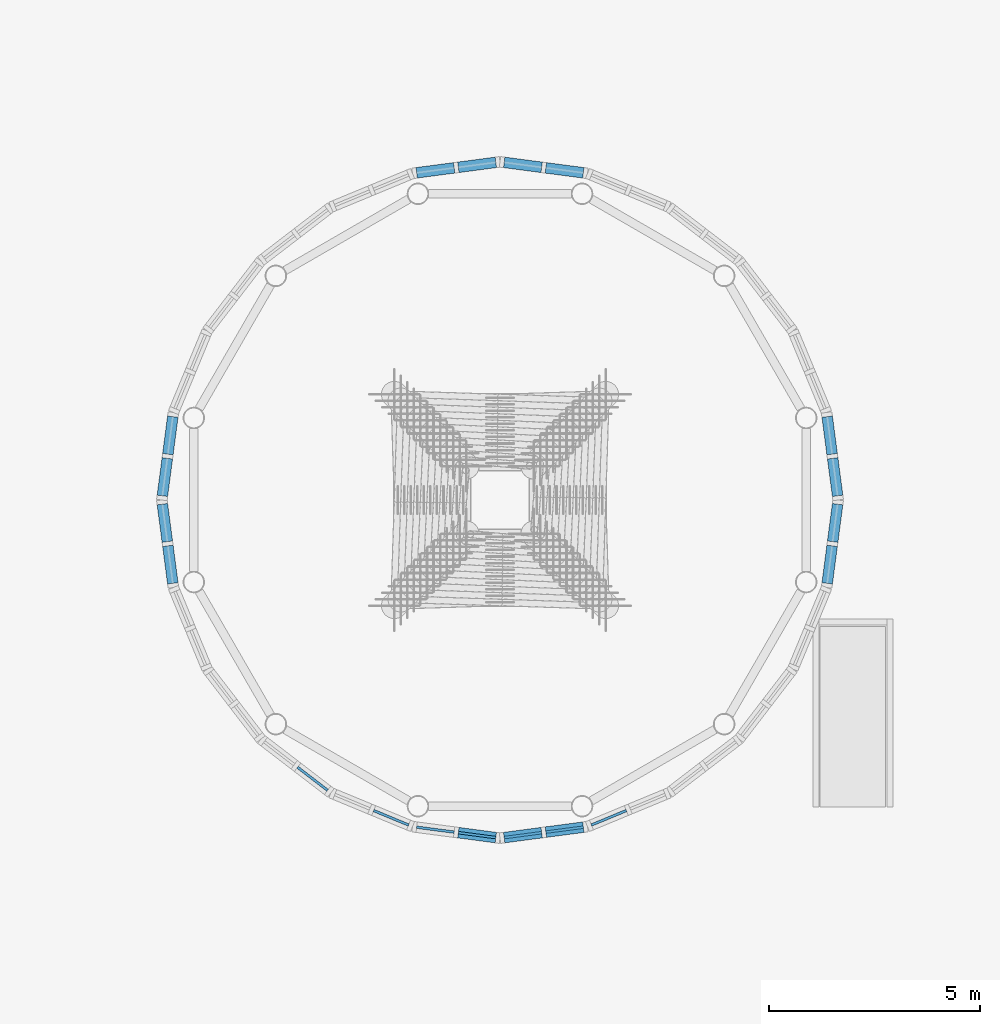
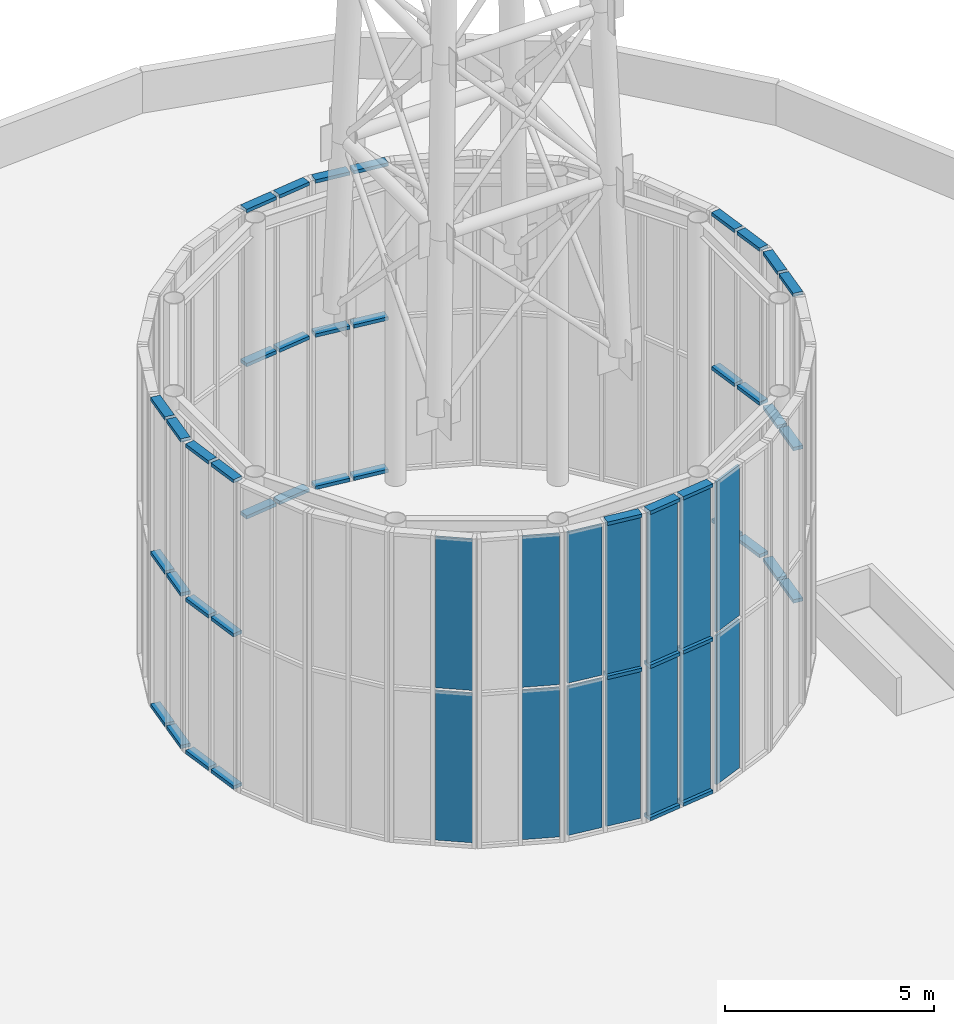
# One storey, part 8 of 11: 44 members, 14 plates, 11 elements without a shape of their own.
"""IFC4 building model written with IfcOpenShell, lengths in metres."""

import ifcopenshell
import ifcopenshell.guid

model = None  # the IFC model being written
_history = None  # IfcOwnerHistory: only IFC2X3 demands one
_inside = {}  # id of a spatial element -> (the spatial element, [elements in it])
_under = {}  # id of a project, library or spatial element -> (it, [spatial elements below it])
_declared = {}  # id of a project -> (the project, [libraries it declares])
_typed = {}  # id of a type object -> (the type object, [elements of that type])
_made_of = {}  # id of a material, layer set ... -> (it, [elements and type objects made of it])


def new_model(schema):
    """Start an empty IFC model of exactly this schema.

    Asked for "IFC4X3", IfcOpenShell would pick the latest addendum, in which some entities
    have other attributes; the version numbers below select the first issue.
    IFC2X3 requires an IfcOwnerHistory on every rooted entity: one is made here for all.
    """
    global model, _history
    if schema == "IFC4X3":
        model = ifcopenshell.file(schema_version=(4, 3, 0, 0))
    else:
        model = ifcopenshell.file(schema=schema)
    _inside.clear()
    _under.clear()
    _declared.clear()
    _typed.clear()
    _made_of.clear()
    _history = None
    if model.schema == "IFC2X3":
        org = make("IfcOrganization", Name="unknown")
        user = make(
            "IfcPersonAndOrganization",
            ThePerson=make("IfcPerson", FamilyName="unknown"),
            TheOrganization=org,
        )
        app = make(
            "IfcApplication",
            ApplicationDeveloper=org,
            Version="unknown",
            ApplicationFullName="unknown",
            ApplicationIdentifier="unknown",
        )
        _history = make(
            "IfcOwnerHistory",
            OwningUser=user,
            OwningApplication=app,
            ChangeAction="ADDED",
            CreationDate=0,
        )
    return model


def make(cls, **values):
    """One entity of the class cls with the attributes given. An attribute that is None is left unset."""
    return model.create_entity(
        cls, **{name: value for name, value in values.items() if value is not None}
    )


def rooted(cls, **values):
    """An entity with a GlobalId (a new one), such as an element, a storey or a relation."""
    return make(cls, GlobalId=ifcopenshell.guid.new(), OwnerHistory=_history, **values)


def si_unit(unit_type, name, prefix=None):
    """IfcSIUnit, for example si_unit("LENGTHUNIT", "METRE", prefix="MILLI")."""
    return make("IfcSIUnit", UnitType=unit_type, Prefix=prefix, Name=name)


def assignment(units):
    """IfcUnitAssignment: the units of a project."""
    return None if units is None else make("IfcUnitAssignment", Units=units)


def point(xyz):
    """IfcCartesianPoint."""
    return None if xyz is None else make("IfcCartesianPoint", Coordinates=xyz)


def direction(xyz):
    """IfcDirection."""
    return None if xyz is None else make("IfcDirection", DirectionRatios=xyz)


def frame(location, z_axis=None, x_axis=None):
    """IfcAxis2Placement3D, a coordinate frame: its origin and axes. An axis left out is left unset."""
    return make(
        "IfcAxis2Placement3D",
        Location=point(location),
        Axis=direction(z_axis),
        RefDirection=direction(x_axis),
    )


def frame_2d(location, x_axis=None):
    """IfcAxis2Placement2D, a coordinate frame in the plane: its origin and x axis."""
    return make(
        "IfcAxis2Placement2D", Location=point(location), RefDirection=direction(x_axis)
    )


def origin():
    """The frame at (0, 0, 0) with its axes left unset."""
    return frame((0.0, 0.0, 0.0))


def origin_2d():
    """The frame at (0, 0) in the plane with its x axis left unset."""
    return frame_2d((0.0, 0.0))


def place(relative_to, where):
    """IfcLocalPlacement: puts the frame where relative to a parent placement (None: the world)."""
    return make(
        "IfcLocalPlacement", PlacementRelTo=relative_to, RelativePlacement=where
    )


def context(
    kind, dimensions, precision=None, world=None, true_north=None, identifier=None
):
    """IfcGeometricRepresentationContext, for example the 3D "Model" context."""
    return make(
        "IfcGeometricRepresentationContext",
        ContextIdentifier=identifier,
        ContextType=kind,
        CoordinateSpaceDimension=dimensions,
        Precision=precision,
        WorldCoordinateSystem=world,
        TrueNorth=true_north,
    )


def subcontext(parent, identifier, kind, view, scale=None):
    """IfcGeometricRepresentationSubContext, for example "Body" below "Model"."""
    return make(
        "IfcGeometricRepresentationSubContext",
        ContextIdentifier=identifier,
        ContextType=kind,
        ParentContext=parent,
        TargetScale=scale,
        TargetView=view,
    )


def project(units=None, contexts=None):
    """IfcProject with its units and contexts."""
    return rooted(
        "IfcProject",
        Name="project",
        RepresentationContexts=contexts,
        UnitsInContext=assignment(units),
    )


def spatial(cls, under=None, at=None, **own):
    """A site, building, storey or space (cls), placed at a placement, below another one or the project."""
    s = rooted(cls, ObjectPlacement=at, **own)
    if under is not None:
        _under.setdefault(under.id(), (under, []))[1].append(s)
    return s


def profile(cls, at=None, kind="AREA", **sizes):
    """A parametric profile (cls). Its sizes go by their IFC names, for example OverallWidth=200.0."""
    return make(cls, ProfileType=kind, Position=at, **sizes)


def rectangle(**sizes):
    """IfcRectangleProfileDef."""
    return profile("IfcRectangleProfileDef", **sizes)


def extrude(swept, where, along, depth):
    """IfcExtrudedAreaSolid: the profile swept, set in the frame where, extruded along a direction by depth."""
    return make(
        "IfcExtrudedAreaSolid",
        SweptArea=swept,
        Position=where,
        ExtrudedDirection=direction(along),
        Depth=depth,
    )


def shape(context_of_items, identifier, shape_type, items):
    """IfcShapeRepresentation: the items that make up one representation, for example the "Body"."""
    return make(
        "IfcShapeRepresentation",
        ContextOfItems=context_of_items,
        RepresentationIdentifier=identifier,
        RepresentationType=shape_type,
        Items=items,
    )


def material(Name=None, Category=None):
    """IfcMaterial."""
    return make("IfcMaterial", Name=Name, Category=Category)


def layer(
    of_material, thickness, ventilated=None, Name=None, Category=None, Priority=None
):
    """IfcMaterialLayer: one layer of a wall or slab, of a material (None: an air gap)."""
    return make(
        "IfcMaterialLayer",
        Material=of_material,
        LayerThickness=thickness,
        IsVentilated=ventilated,
        Name=Name,
        Category=Category,
        Priority=Priority,
    )


def layer_set(layers, Name=None):
    """IfcMaterialLayerSet."""
    return make("IfcMaterialLayerSet", MaterialLayers=layers, LayerSetName=Name)


def material_profile(
    of_material, cross_section, Name=None, Category=None, Priority=None
):
    """IfcMaterialProfile: a cross section and its material."""
    return make(
        "IfcMaterialProfile",
        Name=Name,
        Material=of_material,
        Profile=cross_section,
        Priority=Priority,
        Category=Category,
    )


def profile_set(profiles, Name=None, composite=None):
    """IfcMaterialProfileSet."""
    return make(
        "IfcMaterialProfileSet",
        Name=Name,
        MaterialProfiles=profiles,
        CompositeProfile=composite,
    )


def made_of(thing, what):
    """Note that an element or type object is made of a material, layer set ...; save() writes the relation."""
    if what is not None:
        _made_of.setdefault(what.id(), (what, []))[1].append(thing)
    return thing


def type_object(cls, material=None, **own):
    """A type object (cls), such as IfcWallType, which elements share."""
    return made_of(rooted(cls, **own), material)


def element(
    cls,
    number,
    at=None,
    inside=None,
    cuts=None,
    type_object=None,
    material=None,
    context=None,
    identifier="Body",
    shape_type=None,
    held_by="IfcProductDefinitionShape",
    body=None,
    shapes=None,
    **own,
):
    """One element of the class cls, such as IfcWall. Its Tag is "e" and its number.

    at: its placement. inside: the storey or other place that contains it. cuts: it is an
    opening in that element (IfcRelVoidsElement). A single representation is given by context,
    identifier, shape_type and body (its items); several are given by shapes. held_by: the class
    of the entity that holds the representations. save() writes the other relations.
    """
    e = rooted(cls, Tag="e%d" % number, ObjectPlacement=at, **own)
    if body is not None:
        shapes = [shape(context, identifier, shape_type, body)]
    if shapes is not None:
        e.Representation = make(held_by, Representations=shapes)
    if inside is not None:
        _inside.setdefault(inside.id(), (inside, []))[1].append(e)
    if cuts is not None:
        rooted(
            "IfcRelVoidsElement", RelatingBuildingElement=cuts, RelatedOpeningElement=e
        )
    if type_object is not None:
        _typed.setdefault(type_object.id(), (type_object, []))[1].append(e)
    return made_of(e, material)


def aggregate(whole, parts):
    """IfcRelAggregates: a whole, such as a stair, and the parts it consists of."""
    return rooted("IfcRelAggregates", RelatingObject=whole, RelatedObjects=parts)


def save(model, path):
    """Write the relations noted so far, then the file.

    IfcRelAggregates (storeys below a building ...), IfcRelContainedInSpatialStructure (elements
    in a storey), IfcRelDefinesByType, IfcRelAssociatesMaterial and IfcRelDeclares: one each for
    every whole, place, type object, material and project.
    """
    for whole, parts in _under.values():
        aggregate(whole, parts)
    for where, things in _inside.values():
        rooted(
            "IfcRelContainedInSpatialStructure",
            RelatedElements=things,
            RelatingStructure=where,
        )
    for kind, things in _typed.values():
        rooted("IfcRelDefinesByType", RelatedObjects=things, RelatingType=kind)
    for what, things in _made_of.values():
        rooted("IfcRelAssociatesMaterial", RelatedObjects=things, RelatingMaterial=what)
    for by, libraries in _declared.values():
        rooted("IfcRelDeclares", RelatingContext=by, RelatedDefinitions=libraries)
    model.write(path)


model = new_model("IFC4")

# Units and contexts
model_context = context("Model", 3, precision=1e-05, world=origin(), true_north=direction((0.0, 1.0)))
body_context = subcontext(model_context, "Body", "Model", "MODEL_VIEW")
ifc_project = project(units=[si_unit("LENGTHUNIT", "METRE"), si_unit("AREAUNIT", "SQUARE_METRE"), si_unit("VOLUMEUNIT", "CUBIC_METRE"), si_unit("PLANEANGLEUNIT", "RADIAN"), si_unit("MASSUNIT", "GRAM", prefix="KILO")], contexts=[model_context])

# Site, building, storey
site_placement = place(None, origin())
site = spatial("IfcSite", under=ifc_project, at=site_placement, CompositionType="ELEMENT")
building_placement = place(site_placement, origin())
building = spatial("IfcBuilding", under=site, at=building_placement, Name="Vermilion Reach Broadcast Tower", CompositionType="ELEMENT")
storey_placement = place(building_placement, frame((0.0, 0.0, 329.699951171875)))
storey = spatial("IfcBuildingStorey", under=building, at=storey_placement, Name="RF", CompositionType="ELEMENT", Elevation=329.699951171875)

# Curtain wall, members
ifc_material_1 = material(Name="Low-e laminated clear glass in aluminium frame", Category="aluminium")
curtain_wall_type = type_object("IfcCurtainWallType", Name="Drum louvre curtain wall", PredefinedType="NOTDEFINED", material=ifc_material_1)
placement = place(storey_placement, origin())
curtain_wall_1 = element("IfcCurtainWall", 1, at=placement, inside=storey, type_object=curtain_wall_type, Name="Drum louvre wall RF 01", PredefinedType="NOTDEFINED")
ifc_material_2 = material(Name="Anodised aluminium", Category="aluminium")
ifc_material_profile = material_profile(ifc_material_2, rectangle(XDim=0.25, YDim=0.10009765625, at=origin_2d()), Name="Drum louvre transom 250 x 100")
ifc_profile_set = profile_set([ifc_material_profile], Name="Anodised aluminium")
member_type = type_object("IfcMemberType", Name="Drum louvre transom 250 x 100", PredefinedType="USERDEFINED", material=ifc_profile_set)
member_1_placement = place(storey_placement, frame((1.987060546875, 0.09912109375, 0.050048828125), z_axis=(-0.130786466172, 0.991410560901, 0.0), x_axis=(-0.991410560901, -0.130786466172, 0.0)))
member_1 = element("IfcMember", 2, at=member_1_placement, type_object=member_type, Name="Drum louvre wall transom RF 01.1.1", ObjectType="TRANSOM", PredefinedType="USERDEFINED", context=body_context, shape_type="SweptSolid", body=[
    extrude(rectangle(XDim=0.25, YDim=0.10009765625, at=origin_2d()), origin(), (0.0, 0.0, 1.0), 0.89404296875),
])
member_2_placement = place(storey_placement, frame((1.987060546875, 0.09912109375, 4.5), z_axis=(-0.130786466172, 0.991410560901, 0.0), x_axis=(-0.991410560901, -0.130786466172, 0.0)))
member_2 = element("IfcMember", 3, at=member_2_placement, type_object=member_type, Name="Drum louvre wall transom RF 01.1.2", ObjectType="TRANSOM", PredefinedType="USERDEFINED", context=body_context, shape_type="SweptSolid", body=[
    extrude(rectangle(XDim=0.25, YDim=0.10009765625, at=origin_2d()), origin(), (0.0, 0.0, 1.0), 0.89404296875),
])
member_3_placement = place(storey_placement, frame((1.987060546875, 0.09912109375, 9.0), z_axis=(-0.130786466172, 0.991410560901, 0.0), x_axis=(-0.991410560901, -0.130786466172, 0.0)))
member_3 = element("IfcMember", 4, at=member_3_placement, type_object=member_type, Name="Drum louvre wall transom RF 01.1.3", ObjectType="TRANSOM", PredefinedType="USERDEFINED", context=body_context, shape_type="SweptSolid", body=[
    extrude(rectangle(XDim=0.25, YDim=0.10009765625, at=origin_2d()), origin(), (0.0, 0.0, 1.0), 0.89404296875),
])
member_4_placement = place(storey_placement, frame((1.857177734375, 1.0849609375, 0.050048828125), z_axis=(-0.130518081554, 0.991445929129, 0.0), x_axis=(-0.991445929129, -0.130518081554, 0.0)))
member_4 = element("IfcMember", 5, at=member_4_placement, type_object=member_type, Name="Drum louvre wall transom RF 01.2.1", ObjectType="TRANSOM", PredefinedType="USERDEFINED", context=body_context, shape_type="SweptSolid", body=[
    extrude(rectangle(XDim=0.25, YDim=0.10009765625, at=origin_2d()), origin(), (0.0, 0.0, 1.0), 0.89404296875),
])
member_5_placement = place(storey_placement, frame((1.857177734375, 1.0849609375, 4.5), z_axis=(-0.130518081554, 0.991445929129, 0.0), x_axis=(-0.991445929129, -0.130518081554, 0.0)))
member_5 = element("IfcMember", 6, at=member_5_placement, type_object=member_type, Name="Drum louvre wall transom RF 01.2.2", ObjectType="TRANSOM", PredefinedType="USERDEFINED", context=body_context, shape_type="SweptSolid", body=[
    extrude(rectangle(XDim=0.25, YDim=0.10009765625, at=origin_2d()), origin(), (0.0, 0.0, 1.0), 0.89404296875),
])
member_6_placement = place(storey_placement, frame((1.857177734375, 1.0849609375, 9.0), z_axis=(-0.130518081554, 0.991445929129, 0.0), x_axis=(-0.991445929129, -0.130518081554, 0.0)))
member_6 = element("IfcMember", 7, at=member_6_placement, type_object=member_type, Name="Drum louvre wall transom RF 01.2.3", ObjectType="TRANSOM", PredefinedType="USERDEFINED", context=body_context, shape_type="SweptSolid", body=[
    extrude(rectangle(XDim=0.25, YDim=0.10009765625, at=origin_2d()), origin(), (0.0, 0.0, 1.0), 0.89404296875),
])
aggregate(curtain_wall_1, [member_1, member_2, member_3, member_4, member_5, member_6])

curtain_wall_2 = element("IfcCurtainWall", 8, at=placement, inside=storey, type_object=curtain_wall_type, Name="Drum louvre wall RF 06", PredefinedType="NOTDEFINED")
member_7_placement = place(storey_placement, frame((-4.028564453125, 7.740478515625, 0.050048828125), z_axis=(-0.991445929129, 0.130518081554, 0.0), x_axis=(-0.130518081554, -0.991445929129, 0.0)))
member_7 = element("IfcMember", 9, at=member_7_placement, type_object=member_type, Name="Drum louvre wall transom RF 06.1.1", ObjectType="TRANSOM", PredefinedType="USERDEFINED", context=body_context, shape_type="SweptSolid", body=[
    extrude(rectangle(XDim=0.25, YDim=0.10009765625, at=origin_2d()), origin(), (0.0, 0.0, 1.0), 0.89404296875),
])
member_8_placement = place(storey_placement, frame((-4.028564453125, 7.740478515625, 4.5), z_axis=(-0.991445929129, 0.130518081554, 0.0), x_axis=(-0.130518081554, -0.991445929129, 0.0)))
member_8 = element("IfcMember", 10, at=member_8_placement, type_object=member_type, Name="Drum louvre wall transom RF 06.1.2", ObjectType="TRANSOM", PredefinedType="USERDEFINED", context=body_context, shape_type="SweptSolid", body=[
    extrude(rectangle(XDim=0.25, YDim=0.10009765625, at=origin_2d()), origin(), (0.0, 0.0, 1.0), 0.89404296875),
])
member_9_placement = place(storey_placement, frame((-4.028564453125, 7.740478515625, 9.0), z_axis=(-0.991445929129, 0.130518081554, 0.0), x_axis=(-0.130518081554, -0.991445929129, 0.0)))
member_9 = element("IfcMember", 11, at=member_9_placement, type_object=member_type, Name="Drum louvre wall transom RF 06.1.3", ObjectType="TRANSOM", PredefinedType="USERDEFINED", context=body_context, shape_type="SweptSolid", body=[
    extrude(rectangle(XDim=0.25, YDim=0.10009765625, at=origin_2d()), origin(), (0.0, 0.0, 1.0), 0.89404296875),
])
member_10_placement = place(storey_placement, frame((-5.014404296875, 7.8701171875, 0.050048828125), z_axis=(-0.991410560901, 0.130786466172, 0.0), x_axis=(-0.130786466172, -0.991410560901, 0.0)))
member_10 = element("IfcMember", 12, at=member_10_placement, type_object=member_type, Name="Drum louvre wall transom RF 06.2.1", ObjectType="TRANSOM", PredefinedType="USERDEFINED", context=body_context, shape_type="SweptSolid", body=[
    extrude(rectangle(XDim=0.25, YDim=0.10009765625, at=origin_2d()), origin(), (0.0, 0.0, 1.0), 0.89404296875),
])
member_11_placement = place(storey_placement, frame((-5.014404296875, 7.8701171875, 4.5), z_axis=(-0.991410560901, 0.130786466172, 0.0), x_axis=(-0.130786466172, -0.991410560901, 0.0)))
member_11 = element("IfcMember", 13, at=member_11_placement, type_object=member_type, Name="Drum louvre wall transom RF 06.2.2", ObjectType="TRANSOM", PredefinedType="USERDEFINED", context=body_context, shape_type="SweptSolid", body=[
    extrude(rectangle(XDim=0.25, YDim=0.10009765625, at=origin_2d()), origin(), (0.0, 0.0, 1.0), 0.89404296875),
])
member_12_placement = place(storey_placement, frame((-5.014404296875, 7.8701171875, 9.0), z_axis=(-0.991410560901, 0.130786466172, 0.0), x_axis=(-0.130786466172, -0.991410560901, 0.0)))
member_12 = element("IfcMember", 14, at=member_12_placement, type_object=member_type, Name="Drum louvre wall transom RF 06.2.3", ObjectType="TRANSOM", PredefinedType="USERDEFINED", context=body_context, shape_type="SweptSolid", body=[
    extrude(rectangle(XDim=0.25, YDim=0.10009765625, at=origin_2d()), origin(), (0.0, 0.0, 1.0), 0.89404296875),
])
aggregate(curtain_wall_2, [member_7, member_8, member_9, member_10, member_11, member_12])

curtain_wall_3 = element("IfcCurtainWall", 15, at=placement, inside=storey, type_object=curtain_wall_type, Name="Drum louvre wall RF 07", PredefinedType="NOTDEFINED")
member_13_placement = place(storey_placement, frame((-6.09912109375, 7.987060546875, 0.050048828125), z_axis=(-0.991410560901, -0.130786466172, 0.0), x_axis=(0.130786466172, -0.991410560901, 0.0)))
member_13 = element("IfcMember", 16, at=member_13_placement, type_object=member_type, Name="Drum louvre wall transom RF 07.1.1", ObjectType="TRANSOM", PredefinedType="USERDEFINED", context=body_context, shape_type="SweptSolid", body=[
    extrude(rectangle(XDim=0.25, YDim=0.10009765625, at=origin_2d()), origin(), (0.0, 0.0, 1.0), 0.89404296875),
])
member_14_placement = place(storey_placement, frame((-6.09912109375, 7.987060546875, 4.5), z_axis=(-0.991410560901, -0.130786466172, 0.0), x_axis=(0.130786466172, -0.991410560901, 0.0)))
member_14 = element("IfcMember", 17, at=member_14_placement, type_object=member_type, Name="Drum louvre wall transom RF 07.1.2", ObjectType="TRANSOM", PredefinedType="USERDEFINED", context=body_context, shape_type="SweptSolid", body=[
    extrude(rectangle(XDim=0.25, YDim=0.10009765625, at=origin_2d()), origin(), (0.0, 0.0, 1.0), 0.89404296875),
])
member_15_placement = place(storey_placement, frame((-6.09912109375, 7.987060546875, 9.0), z_axis=(-0.991410560901, -0.130786466172, 0.0), x_axis=(0.130786466172, -0.991410560901, 0.0)))
member_15 = element("IfcMember", 18, at=member_15_placement, type_object=member_type, Name="Drum louvre wall transom RF 07.1.3", ObjectType="TRANSOM", PredefinedType="USERDEFINED", context=body_context, shape_type="SweptSolid", body=[
    extrude(rectangle(XDim=0.25, YDim=0.10009765625, at=origin_2d()), origin(), (0.0, 0.0, 1.0), 0.89404296875),
])
member_16_placement = place(storey_placement, frame((-7.0849609375, 7.857177734375, 0.050048828125), z_axis=(-0.991445929129, -0.130518081554, 0.0), x_axis=(0.130518081554, -0.991445929129, 0.0)))
member_16 = element("IfcMember", 19, at=member_16_placement, type_object=member_type, Name="Drum louvre wall transom RF 07.2.1", ObjectType="TRANSOM", PredefinedType="USERDEFINED", context=body_context, shape_type="SweptSolid", body=[
    extrude(rectangle(XDim=0.25, YDim=0.10009765625, at=origin_2d()), origin(), (0.0, 0.0, 1.0), 0.89404296875),
])
member_17_placement = place(storey_placement, frame((-7.0849609375, 7.857177734375, 4.5), z_axis=(-0.991445929129, -0.130518081554, 0.0), x_axis=(0.130518081554, -0.991445929129, 0.0)))
member_17 = element("IfcMember", 20, at=member_17_placement, type_object=member_type, Name="Drum louvre wall transom RF 07.2.2", ObjectType="TRANSOM", PredefinedType="USERDEFINED", context=body_context, shape_type="SweptSolid", body=[
    extrude(rectangle(XDim=0.25, YDim=0.10009765625, at=origin_2d()), origin(), (0.0, 0.0, 1.0), 0.89404296875),
])
member_18_placement = place(storey_placement, frame((-7.0849609375, 7.857177734375, 9.0), z_axis=(-0.991445929129, -0.130518081554, 0.0), x_axis=(0.130518081554, -0.991445929129, 0.0)))
member_18 = element("IfcMember", 21, at=member_18_placement, type_object=member_type, Name="Drum louvre wall transom RF 07.2.3", ObjectType="TRANSOM", PredefinedType="USERDEFINED", context=body_context, shape_type="SweptSolid", body=[
    extrude(rectangle(XDim=0.25, YDim=0.10009765625, at=origin_2d()), origin(), (0.0, 0.0, 1.0), 0.89404296875),
])
aggregate(curtain_wall_3, [member_13, member_14, member_15, member_16, member_17, member_18])

curtain_wall_4 = element("IfcCurtainWall", 22, at=placement, inside=storey, type_object=curtain_wall_type, Name="Drum louvre wall RF 12", PredefinedType="NOTDEFINED")
member_19_placement = place(storey_placement, frame((-13.740478515625, 1.971435546875, 0.050048828125), z_axis=(-0.130518081554, -0.991445929129, 0.0), x_axis=(0.991445929129, -0.130518081554, 0.0)))
member_19 = element("IfcMember", 23, at=member_19_placement, type_object=member_type, Name="Drum louvre wall transom RF 12.1.1", ObjectType="TRANSOM", PredefinedType="USERDEFINED", context=body_context, shape_type="SweptSolid", body=[
    extrude(rectangle(XDim=0.25, YDim=0.10009765625, at=origin_2d()), origin(), (0.0, 0.0, 1.0), 0.89404296875),
])
member_20_placement = place(storey_placement, frame((-13.740478515625, 1.971435546875, 4.5), z_axis=(-0.130518081554, -0.991445929129, 0.0), x_axis=(0.991445929129, -0.130518081554, 0.0)))
member_20 = element("IfcMember", 24, at=member_20_placement, type_object=member_type, Name="Drum louvre wall transom RF 12.1.2", ObjectType="TRANSOM", PredefinedType="USERDEFINED", context=body_context, shape_type="SweptSolid", body=[
    extrude(rectangle(XDim=0.25, YDim=0.10009765625, at=origin_2d()), origin(), (0.0, 0.0, 1.0), 0.89404296875),
])
member_21_placement = place(storey_placement, frame((-13.740478515625, 1.971435546875, 9.0), z_axis=(-0.130518081554, -0.991445929129, 0.0), x_axis=(0.991445929129, -0.130518081554, 0.0)))
member_21 = element("IfcMember", 25, at=member_21_placement, type_object=member_type, Name="Drum louvre wall transom RF 12.1.3", ObjectType="TRANSOM", PredefinedType="USERDEFINED", context=body_context, shape_type="SweptSolid", body=[
    extrude(rectangle(XDim=0.25, YDim=0.10009765625, at=origin_2d()), origin(), (0.0, 0.0, 1.0), 0.89404296875),
])
member_22_placement = place(storey_placement, frame((-13.8701171875, 0.985595703125, 0.050048828125), z_axis=(-0.130786466172, -0.991410560901, 0.0), x_axis=(0.991410560901, -0.130786466172, 0.0)))
member_22 = element("IfcMember", 26, at=member_22_placement, type_object=member_type, Name="Drum louvre wall transom RF 12.2.1", ObjectType="TRANSOM", PredefinedType="USERDEFINED", context=body_context, shape_type="SweptSolid", body=[
    extrude(rectangle(XDim=0.25, YDim=0.10009765625, at=origin_2d()), origin(), (0.0, 0.0, 1.0), 0.89404296875),
])
member_23_placement = place(storey_placement, frame((-13.8701171875, 0.985595703125, 4.5), z_axis=(-0.130786466172, -0.991410560901, 0.0), x_axis=(0.991410560901, -0.130786466172, 0.0)))
member_23 = element("IfcMember", 27, at=member_23_placement, type_object=member_type, Name="Drum louvre wall transom RF 12.2.2", ObjectType="TRANSOM", PredefinedType="USERDEFINED", context=body_context, shape_type="SweptSolid", body=[
    extrude(rectangle(XDim=0.25, YDim=0.10009765625, at=origin_2d()), origin(), (0.0, 0.0, 1.0), 0.89404296875),
])
member_24_placement = place(storey_placement, frame((-13.8701171875, 0.985595703125, 9.0), z_axis=(-0.130786466172, -0.991410560901, 0.0), x_axis=(0.991410560901, -0.130786466172, 0.0)))
member_24 = element("IfcMember", 28, at=member_24_placement, type_object=member_type, Name="Drum louvre wall transom RF 12.2.3", ObjectType="TRANSOM", PredefinedType="USERDEFINED", context=body_context, shape_type="SweptSolid", body=[
    extrude(rectangle(XDim=0.25, YDim=0.10009765625, at=origin_2d()), origin(), (0.0, 0.0, 1.0), 0.89404296875),
])
aggregate(curtain_wall_4, [member_19, member_20, member_21, member_22, member_23, member_24])

curtain_wall_5 = element("IfcCurtainWall", 29, at=placement, inside=storey, type_object=curtain_wall_type, Name="Drum louvre wall RF 13", PredefinedType="NOTDEFINED")
member_25_placement = place(storey_placement, frame((-13.987060546875, -0.09912109375, 0.050048828125), z_axis=(0.130786466172, -0.991410560901, 0.0), x_axis=(0.991410560901, 0.130786466172, 0.0)))
member_25 = element("IfcMember", 30, at=member_25_placement, type_object=member_type, Name="Drum louvre wall transom RF 13.1.1", ObjectType="TRANSOM", PredefinedType="USERDEFINED", context=body_context, shape_type="SweptSolid", body=[
    extrude(rectangle(XDim=0.25, YDim=0.10009765625, at=origin_2d()), origin(), (0.0, 0.0, 1.0), 0.89404296875),
])
member_26_placement = place(storey_placement, frame((-13.987060546875, -0.09912109375, 4.5), z_axis=(0.130786466172, -0.991410560901, 0.0), x_axis=(0.991410560901, 0.130786466172, 0.0)))
member_26 = element("IfcMember", 31, at=member_26_placement, type_object=member_type, Name="Drum louvre wall transom RF 13.1.2", ObjectType="TRANSOM", PredefinedType="USERDEFINED", context=body_context, shape_type="SweptSolid", body=[
    extrude(rectangle(XDim=0.25, YDim=0.10009765625, at=origin_2d()), origin(), (0.0, 0.0, 1.0), 0.89404296875),
])
member_27_placement = place(storey_placement, frame((-13.987060546875, -0.09912109375, 9.0), z_axis=(0.130786466172, -0.991410560901, 0.0), x_axis=(0.991410560901, 0.130786466172, 0.0)))
member_27 = element("IfcMember", 32, at=member_27_placement, type_object=member_type, Name="Drum louvre wall transom RF 13.1.3", ObjectType="TRANSOM", PredefinedType="USERDEFINED", context=body_context, shape_type="SweptSolid", body=[
    extrude(rectangle(XDim=0.25, YDim=0.10009765625, at=origin_2d()), origin(), (0.0, 0.0, 1.0), 0.89404296875),
])
member_28_placement = place(storey_placement, frame((-13.857177734375, -1.0849609375, 0.050048828125), z_axis=(0.130518081554, -0.991445929129, 0.0), x_axis=(0.991445929129, 0.130518081554, 0.0)))
member_28 = element("IfcMember", 33, at=member_28_placement, type_object=member_type, Name="Drum louvre wall transom RF 13.2.1", ObjectType="TRANSOM", PredefinedType="USERDEFINED", context=body_context, shape_type="SweptSolid", body=[
    extrude(rectangle(XDim=0.25, YDim=0.10009765625, at=origin_2d()), origin(), (0.0, 0.0, 1.0), 0.89404296875),
])
member_29_placement = place(storey_placement, frame((-13.857177734375, -1.0849609375, 4.5), z_axis=(0.130518081554, -0.991445929129, 0.0), x_axis=(0.991445929129, 0.130518081554, 0.0)))
member_29 = element("IfcMember", 34, at=member_29_placement, type_object=member_type, Name="Drum louvre wall transom RF 13.2.2", ObjectType="TRANSOM", PredefinedType="USERDEFINED", context=body_context, shape_type="SweptSolid", body=[
    extrude(rectangle(XDim=0.25, YDim=0.10009765625, at=origin_2d()), origin(), (0.0, 0.0, 1.0), 0.89404296875),
])
member_30_placement = place(storey_placement, frame((-13.857177734375, -1.0849609375, 9.0), z_axis=(0.130518081554, -0.991445929129, 0.0), x_axis=(0.991445929129, 0.130518081554, 0.0)))
member_30 = element("IfcMember", 35, at=member_30_placement, type_object=member_type, Name="Drum louvre wall transom RF 13.2.3", ObjectType="TRANSOM", PredefinedType="USERDEFINED", context=body_context, shape_type="SweptSolid", body=[
    extrude(rectangle(XDim=0.25, YDim=0.10009765625, at=origin_2d()), origin(), (0.0, 0.0, 1.0), 0.89404296875),
])
aggregate(curtain_wall_5, [member_25, member_26, member_27, member_28, member_29, member_30])

curtain_wall_6 = element("IfcCurtainWall", 36, at=placement, inside=storey, type_object=curtain_wall_type, Name="Drum louvre wall RF 18", PredefinedType="NOTDEFINED")
member_31_placement = place(storey_placement, frame((-6.985595703125, -7.8701171875, 4.5), z_axis=(0.991410560901, -0.130786466172, 0.0), x_axis=(0.130786466172, 0.991410560901, 0.0)))
member_31 = element("IfcMember", 37, at=member_31_placement, type_object=member_type, Name="Drum louvre wall transom RF 18.2.2", ObjectType="TRANSOM", PredefinedType="USERDEFINED", context=body_context, shape_type="SweptSolid", body=[
    extrude(rectangle(XDim=0.25, YDim=0.10009765625, at=origin_2d()), origin(), (0.0, 0.0, 1.0), 0.89404296875),
])
member_32_placement = place(storey_placement, frame((-6.985595703125, -7.8701171875, 9.0), z_axis=(0.991410560901, -0.130786466172, 0.0), x_axis=(0.130786466172, 0.991410560901, 0.0)))
member_32 = element("IfcMember", 38, at=member_32_placement, type_object=member_type, Name="Drum louvre wall transom RF 18.2.3", ObjectType="TRANSOM", PredefinedType="USERDEFINED", context=body_context, shape_type="SweptSolid", body=[
    extrude(rectangle(XDim=0.25, YDim=0.10009765625, at=origin_2d()), origin(), (0.0, 0.0, 1.0), 0.89404296875),
])

curtain_wall_7 = element("IfcCurtainWall", 39, at=placement, inside=storey, type_object=curtain_wall_type, Name="Drum louvre wall RF 19", PredefinedType="NOTDEFINED")
member_33_placement = place(storey_placement, frame((-5.90087890625, -7.987060546875, 0.050048828125), z_axis=(0.991410560901, 0.130786466172, 0.0), x_axis=(-0.130786466172, 0.991410560901, 0.0)))
member_33 = element("IfcMember", 40, at=member_33_placement, type_object=member_type, Name="Drum louvre wall transom RF 19.1.1", ObjectType="TRANSOM", PredefinedType="USERDEFINED", context=body_context, shape_type="SweptSolid", body=[
    extrude(rectangle(XDim=0.25, YDim=0.10009765625, at=origin_2d()), origin(), (0.0, 0.0, 1.0), 0.89404296875),
])
member_34_placement = place(storey_placement, frame((-5.90087890625, -7.987060546875, 4.5), z_axis=(0.991410560901, 0.130786466172, 0.0), x_axis=(-0.130786466172, 0.991410560901, 0.0)))
member_34 = element("IfcMember", 41, at=member_34_placement, type_object=member_type, Name="Drum louvre wall transom RF 19.1.2", ObjectType="TRANSOM", PredefinedType="USERDEFINED", context=body_context, shape_type="SweptSolid", body=[
    extrude(rectangle(XDim=0.25, YDim=0.10009765625, at=origin_2d()), origin(), (0.0, 0.0, 1.0), 0.89404296875),
])
member_35_placement = place(storey_placement, frame((-5.90087890625, -7.987060546875, 9.0), z_axis=(0.991410560901, 0.130786466172, 0.0), x_axis=(-0.130786466172, 0.991410560901, 0.0)))
member_35 = element("IfcMember", 42, at=member_35_placement, type_object=member_type, Name="Drum louvre wall transom RF 19.1.3", ObjectType="TRANSOM", PredefinedType="USERDEFINED", context=body_context, shape_type="SweptSolid", body=[
    extrude(rectangle(XDim=0.25, YDim=0.10009765625, at=origin_2d()), origin(), (0.0, 0.0, 1.0), 0.89404296875),
])
member_36_placement = place(storey_placement, frame((-4.9150390625, -7.857177734375, 0.050048828125), z_axis=(0.991445929129, 0.130518081554, 0.0), x_axis=(-0.130518081554, 0.991445929129, 0.0)))
member_36 = element("IfcMember", 43, at=member_36_placement, type_object=member_type, Name="Drum louvre wall transom RF 19.2.1", ObjectType="TRANSOM", PredefinedType="USERDEFINED", context=body_context, shape_type="SweptSolid", body=[
    extrude(rectangle(XDim=0.25, YDim=0.10009765625, at=origin_2d()), origin(), (0.0, 0.0, 1.0), 0.89404296875),
])
member_37_placement = place(storey_placement, frame((-4.9150390625, -7.857177734375, 4.5), z_axis=(0.991445929129, 0.130518081554, 0.0), x_axis=(-0.130518081554, 0.991445929129, 0.0)))
member_37 = element("IfcMember", 44, at=member_37_placement, type_object=member_type, Name="Drum louvre wall transom RF 19.2.2", ObjectType="TRANSOM", PredefinedType="USERDEFINED", context=body_context, shape_type="SweptSolid", body=[
    extrude(rectangle(XDim=0.25, YDim=0.10009765625, at=origin_2d()), origin(), (0.0, 0.0, 1.0), 0.89404296875),
])
member_38_placement = place(storey_placement, frame((-4.9150390625, -7.857177734375, 9.0), z_axis=(0.991445929129, 0.130518081554, 0.0), x_axis=(-0.130518081554, 0.991445929129, 0.0)))
member_38 = element("IfcMember", 45, at=member_38_placement, type_object=member_type, Name="Drum louvre wall transom RF 19.2.3", ObjectType="TRANSOM", PredefinedType="USERDEFINED", context=body_context, shape_type="SweptSolid", body=[
    extrude(rectangle(XDim=0.25, YDim=0.10009765625, at=origin_2d()), origin(), (0.0, 0.0, 1.0), 0.89404296875),
])

curtain_wall_8 = element("IfcCurtainWall", 46, at=placement, inside=storey, type_object=curtain_wall_type, Name="Drum louvre wall RF 24", PredefinedType="NOTDEFINED")
member_39_placement = place(storey_placement, frame((1.740478515625, -1.971435546875, 0.050048828125), z_axis=(0.130518081554, 0.991445929129, 0.0), x_axis=(-0.991445929129, 0.130518081554, 0.0)))
member_39 = element("IfcMember", 47, at=member_39_placement, type_object=member_type, Name="Drum louvre wall transom RF 24.1.1", ObjectType="TRANSOM", PredefinedType="USERDEFINED", context=body_context, shape_type="SweptSolid", body=[
    extrude(rectangle(XDim=0.25, YDim=0.10009765625, at=origin_2d()), origin(), (0.0, 0.0, 1.0), 0.89404296875),
])
member_40_placement = place(storey_placement, frame((1.740478515625, -1.971435546875, 4.5), z_axis=(0.130518081554, 0.991445929129, 0.0), x_axis=(-0.991445929129, 0.130518081554, 0.0)))
member_40 = element("IfcMember", 48, at=member_40_placement, type_object=member_type, Name="Drum louvre wall transom RF 24.1.2", ObjectType="TRANSOM", PredefinedType="USERDEFINED", context=body_context, shape_type="SweptSolid", body=[
    extrude(rectangle(XDim=0.25, YDim=0.10009765625, at=origin_2d()), origin(), (0.0, 0.0, 1.0), 0.89404296875),
])
member_41_placement = place(storey_placement, frame((1.740478515625, -1.971435546875, 9.0), z_axis=(0.130518081554, 0.991445929129, 0.0), x_axis=(-0.991445929129, 0.130518081554, 0.0)))
member_41 = element("IfcMember", 49, at=member_41_placement, type_object=member_type, Name="Drum louvre wall transom RF 24.1.3", ObjectType="TRANSOM", PredefinedType="USERDEFINED", context=body_context, shape_type="SweptSolid", body=[
    extrude(rectangle(XDim=0.25, YDim=0.10009765625, at=origin_2d()), origin(), (0.0, 0.0, 1.0), 0.89404296875),
])
member_42_placement = place(storey_placement, frame((1.8701171875, -0.985595703125, 0.050048828125), z_axis=(0.130786466172, 0.991410560901, 0.0), x_axis=(-0.991410560901, 0.130786466172, 0.0)))
member_42 = element("IfcMember", 50, at=member_42_placement, type_object=member_type, Name="Drum louvre wall transom RF 24.2.1", ObjectType="TRANSOM", PredefinedType="USERDEFINED", context=body_context, shape_type="SweptSolid", body=[
    extrude(rectangle(XDim=0.25, YDim=0.10009765625, at=origin_2d()), origin(), (0.0, 0.0, 1.0), 0.89404296875),
])
member_43_placement = place(storey_placement, frame((1.8701171875, -0.985595703125, 4.5), z_axis=(0.130786466172, 0.991410560901, 0.0), x_axis=(-0.991410560901, 0.130786466172, 0.0)))
member_43 = element("IfcMember", 51, at=member_43_placement, type_object=member_type, Name="Drum louvre wall transom RF 24.2.2", ObjectType="TRANSOM", PredefinedType="USERDEFINED", context=body_context, shape_type="SweptSolid", body=[
    extrude(rectangle(XDim=0.25, YDim=0.10009765625, at=origin_2d()), origin(), (0.0, 0.0, 1.0), 0.89404296875),
])
member_44_placement = place(storey_placement, frame((1.8701171875, -0.985595703125, 9.0), z_axis=(0.130786466172, 0.991410560901, 0.0), x_axis=(-0.991410560901, 0.130786466172, 0.0)))
member_44 = element("IfcMember", 52, at=member_44_placement, type_object=member_type, Name="Drum louvre wall transom RF 24.2.3", ObjectType="TRANSOM", PredefinedType="USERDEFINED", context=body_context, shape_type="SweptSolid", body=[
    extrude(rectangle(XDim=0.25, YDim=0.10009765625, at=origin_2d()), origin(), (0.0, 0.0, 1.0), 0.89404296875),
])
aggregate(curtain_wall_8, [member_39, member_40, member_41, member_42, member_43, member_44])

# Curtain wall, plates
curtain_wall_9 = element("IfcCurtainWall", 53, at=placement, inside=storey, type_object=curtain_wall_type, Name="Drum louvre wall RF 16", PredefinedType="NOTDEFINED")
ifc_material_3 = material(Name="Anodised aluminium louvre", Category="aluminium")
ifc_layer = layer(ifc_material_3, 0.06005859375)
ifc_layer_set = layer_set([ifc_layer], Name="Drum louvre glass panel")
plate_type = type_object("IfcPlateType", Name="Drum louvre glass panel", PredefinedType="CURTAIN_PANEL", material=ifc_layer_set)
plate_1_placement = place(storey_placement, frame((-10.43408203125, -6.59521484375, 0.10009765625), z_axis=(0.0, 0.0, 1.0), x_axis=(0.793353340291, -0.608761429009, 0.0)))
plate_1 = element("IfcPlate", 54, at=plate_1_placement, type_object=plate_type, Name="Drum louvre wall glass panel RF 16.2.1", PredefinedType="CURTAIN_PANEL", context=body_context, shape_type="SweptSolid", body=[
    extrude(rectangle(XDim=0.894287109375, YDim=0.06005859375, at=origin_2d()), origin(), (0.0, 0.0, 1.0), 4.35009765625),
])
plate_2_placement = place(storey_placement, frame((-10.43408203125, -6.59521484375, 4.550048828125), z_axis=(0.0, 0.0, 1.0), x_axis=(0.793353340291, -0.608761429009, 0.0)))
plate_2 = element("IfcPlate", 55, at=plate_2_placement, type_object=plate_type, Name="Drum louvre wall glass panel RF 16.2.2", PredefinedType="CURTAIN_PANEL", context=body_context, shape_type="SweptSolid", body=[
    extrude(rectangle(XDim=0.894287109375, YDim=0.06005859375, at=origin_2d()), origin(), (0.0, 0.0, 1.0), 4.39990234375),
])
aggregate(curtain_wall_9, [plate_1, plate_2])

curtain_wall_10 = element("IfcCurtainWall", 56, at=placement, inside=storey, type_object=curtain_wall_type, Name="Drum louvre wall RF 17", PredefinedType="NOTDEFINED")
plate_3_placement = place(storey_placement, frame((-8.575927734375, -7.51806640625, 0.10009765625), z_axis=(0.0, 0.0, 1.0), x_axis=(0.923879532511, -0.382683432365, 0.0)))
plate_3 = element("IfcPlate", 57, at=plate_3_placement, type_object=plate_type, Name="Drum louvre wall glass panel RF 17.2.1", PredefinedType="CURTAIN_PANEL", context=body_context, shape_type="SweptSolid", body=[
    extrude(rectangle(XDim=0.894287109375, YDim=0.06005859375, at=origin_2d()), origin(), (0.0, 0.0, 1.0), 4.35009765625),
])
plate_4_placement = place(storey_placement, frame((-8.575927734375, -7.51806640625, 4.550048828125), z_axis=(0.0, 0.0, 1.0), x_axis=(0.923879532511, -0.382683432365, 0.0)))
plate_4 = element("IfcPlate", 58, at=plate_4_placement, type_object=plate_type, Name="Drum louvre wall glass panel RF 17.2.2", PredefinedType="CURTAIN_PANEL", context=body_context, shape_type="SweptSolid", body=[
    extrude(rectangle(XDim=0.894287109375, YDim=0.06005859375, at=origin_2d()), origin(), (0.0, 0.0, 1.0), 4.39990234375),
])
aggregate(curtain_wall_10, [plate_3, plate_4])

# Plate
plate_5_placement = place(storey_placement, frame((-7.528076171875, -7.798828125, 0.10009765625), z_axis=(0.0, 0.0, 1.0), x_axis=(0.991444861374, -0.13052619222, 0.0)))
plate_5 = element("IfcPlate", 59, at=plate_5_placement, type_object=plate_type, Name="Drum louvre wall glass panel RF 18.1.1", PredefinedType="CURTAIN_PANEL", context=body_context, shape_type="SweptSolid", body=[
    extrude(rectangle(XDim=0.894287109375, YDim=0.06005859375, at=origin_2d()), origin(), (0.0, 0.0, 1.0), 4.35009765625),
])

plate_6_placement = place(storey_placement, frame((-7.528076171875, -7.798828125, 4.550048828125), z_axis=(0.0, 0.0, 1.0), x_axis=(0.991444861374, -0.13052619222, 0.0)))
plate_6 = element("IfcPlate", 60, at=plate_6_placement, type_object=plate_type, Name="Drum louvre wall glass panel RF 18.1.2", PredefinedType="CURTAIN_PANEL", context=body_context, shape_type="SweptSolid", body=[
    extrude(rectangle(XDim=0.894287109375, YDim=0.06005859375, at=origin_2d()), origin(), (0.0, 0.0, 1.0), 4.39990234375),
])

plate_7_placement = place(storey_placement, frame((-6.54248046875, -7.928466796875, 0.10009765625), z_axis=(0.0, 0.0, 1.0), x_axis=(0.991444861374, -0.13052619222, 0.0)))
plate_7 = element("IfcPlate", 61, at=plate_7_placement, type_object=plate_type, Name="Drum louvre wall glass panel RF 18.2.1", PredefinedType="CURTAIN_PANEL", context=body_context, shape_type="SweptSolid", body=[
    extrude(rectangle(XDim=0.894287109375, YDim=0.06005859375, at=origin_2d()), origin(), (0.0, 0.0, 1.0), 4.35009765625),
])

plate_8_placement = place(storey_placement, frame((-6.54248046875, -7.928466796875, 4.550048828125), z_axis=(0.0, 0.0, 1.0), x_axis=(0.991444861374, -0.13052619222, 0.0)))
plate_8 = element("IfcPlate", 62, at=plate_8_placement, type_object=plate_type, Name="Drum louvre wall glass panel RF 18.2.2", PredefinedType="CURTAIN_PANEL", context=body_context, shape_type="SweptSolid", body=[
    extrude(rectangle(XDim=0.894287109375, YDim=0.06005859375, at=origin_2d()), origin(), (0.0, 0.0, 1.0), 4.39990234375),
])

aggregate(curtain_wall_6, [plate_5, plate_6, member_31, member_32, plate_7, plate_8])

plate_9_placement = place(storey_placement, frame((-5.45751953125, -7.928466796875, 0.10009765625), z_axis=(0.0, 0.0, 1.0), x_axis=(0.991444861374, 0.13052619222, 0.0)))
plate_9 = element("IfcPlate", 63, at=plate_9_placement, type_object=plate_type, Name="Drum louvre wall glass panel RF 19.1.1", PredefinedType="CURTAIN_PANEL", context=body_context, shape_type="SweptSolid", body=[
    extrude(rectangle(XDim=0.894287109375, YDim=0.06005859375, at=origin_2d()), origin(), (0.0, 0.0, 1.0), 4.35009765625),
])

plate_10_placement = place(storey_placement, frame((-5.45751953125, -7.928466796875, 4.550048828125), z_axis=(0.0, 0.0, 1.0), x_axis=(0.991444861374, 0.13052619222, 0.0)))
plate_10 = element("IfcPlate", 64, at=plate_10_placement, type_object=plate_type, Name="Drum louvre wall glass panel RF 19.1.2", PredefinedType="CURTAIN_PANEL", context=body_context, shape_type="SweptSolid", body=[
    extrude(rectangle(XDim=0.894287109375, YDim=0.06005859375, at=origin_2d()), origin(), (0.0, 0.0, 1.0), 4.39990234375),
])

plate_11_placement = place(storey_placement, frame((-4.471923828125, -7.798828125, 0.10009765625), z_axis=(0.0, 0.0, 1.0), x_axis=(0.991444861374, 0.13052619222, 0.0)))
plate_11 = element("IfcPlate", 65, at=plate_11_placement, type_object=plate_type, Name="Drum louvre wall glass panel RF 19.2.1", PredefinedType="CURTAIN_PANEL", context=body_context, shape_type="SweptSolid", body=[
    extrude(rectangle(XDim=0.894287109375, YDim=0.06005859375, at=origin_2d()), origin(), (0.0, 0.0, 1.0), 4.35009765625),
])

plate_12_placement = place(storey_placement, frame((-4.471923828125, -7.798828125, 4.550048828125), z_axis=(0.0, 0.0, 1.0), x_axis=(0.991444861374, 0.13052619222, 0.0)))
plate_12 = element("IfcPlate", 66, at=plate_12_placement, type_object=plate_type, Name="Drum louvre wall glass panel RF 19.2.2", PredefinedType="CURTAIN_PANEL", context=body_context, shape_type="SweptSolid", body=[
    extrude(rectangle(XDim=0.894287109375, YDim=0.06005859375, at=origin_2d()), origin(), (0.0, 0.0, 1.0), 4.39990234375),
])

aggregate(curtain_wall_7, [member_33, member_34, member_35, plate_9, plate_10, member_36, member_37, member_38, plate_11, plate_12])

# Curtain wall, plates
curtain_wall_11 = element("IfcCurtainWall", 67, at=placement, inside=storey, type_object=curtain_wall_type, Name="Drum louvre wall RF 20", PredefinedType="NOTDEFINED")
plate_13_placement = place(storey_placement, frame((-3.424072265625, -7.51806640625, 0.10009765625), z_axis=(0.0, 0.0, 1.0), x_axis=(0.923879532511, 0.382683432365, 0.0)))
plate_13 = element("IfcPlate", 68, at=plate_13_placement, type_object=plate_type, Name="Drum louvre wall glass panel RF 20.1.1", PredefinedType="CURTAIN_PANEL", context=body_context, shape_type="SweptSolid", body=[
    extrude(rectangle(XDim=0.894287109375, YDim=0.06005859375, at=origin_2d()), origin(), (0.0, 0.0, 1.0), 4.35009765625),
])
plate_14_placement = place(storey_placement, frame((-3.424072265625, -7.51806640625, 4.550048828125), z_axis=(0.0, 0.0, 1.0), x_axis=(0.923879532511, 0.382683432365, 0.0)))
plate_14 = element("IfcPlate", 69, at=plate_14_placement, type_object=plate_type, Name="Drum louvre wall glass panel RF 20.1.2", PredefinedType="CURTAIN_PANEL", context=body_context, shape_type="SweptSolid", body=[
    extrude(rectangle(XDim=0.894287109375, YDim=0.06005859375, at=origin_2d()), origin(), (0.0, 0.0, 1.0), 4.39990234375),
])
aggregate(curtain_wall_11, [plate_13, plate_14])

save(model, "model.ifc")
